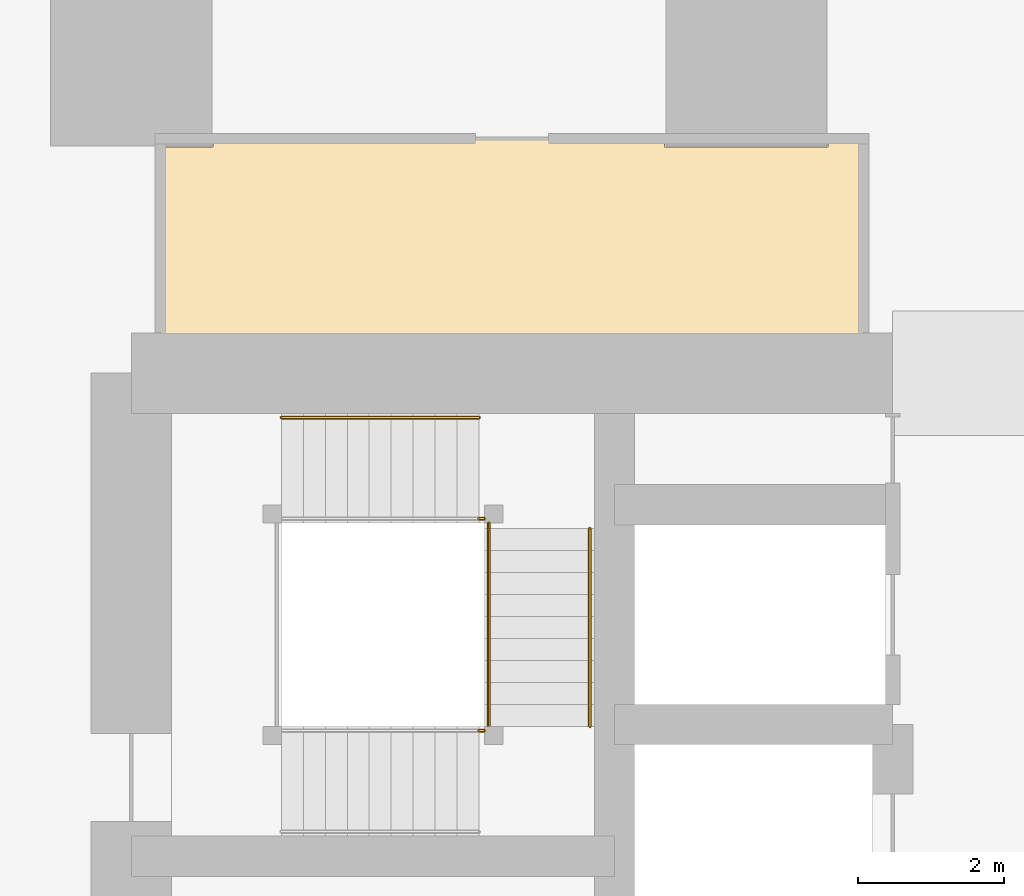
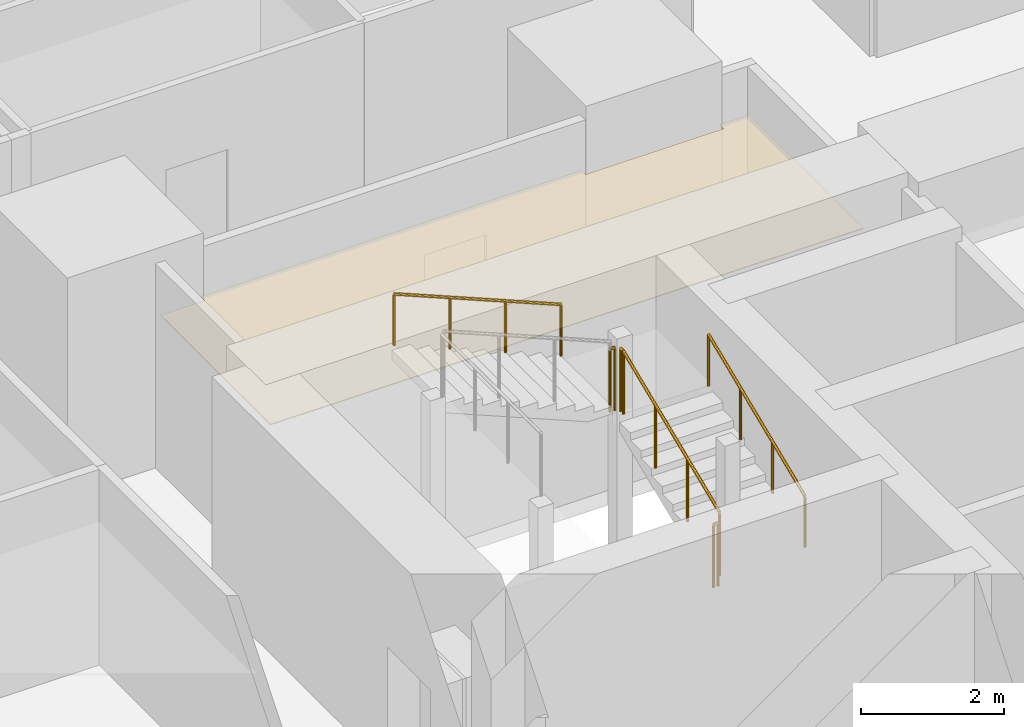
# One storey, part 42 of 45: 6 railings, 1 covering.
"""IFC4 building model written with IfcOpenShell, lengths in metres."""

from ifc_helpers import new_model, si_unit, direction, frame, origin, origin_2d, place, context, subcontext, project, spatial, polyline, circle, outline, extrude, material, layer, layer_set, type_object, element, save


model = new_model("IFC4")

# Units and contexts
model_context = context("Model", 3, precision=1e-05, world=origin(), true_north=direction((0.0, 1.0)))
body_context = subcontext(model_context, "Body", "Model", "MODEL_VIEW")
ifc_project = project(units=[si_unit("LENGTHUNIT", "METRE"), si_unit("AREAUNIT", "SQUARE_METRE"), si_unit("VOLUMEUNIT", "CUBIC_METRE"), si_unit("PLANEANGLEUNIT", "RADIAN"), si_unit("MASSUNIT", "GRAM", prefix="KILO")], contexts=[model_context])

# Site, building, storey
site_placement = place(None, origin())
site = spatial("IfcSite", under=ifc_project, at=site_placement, CompositionType="ELEMENT")
building_placement = place(site_placement, origin())
building = spatial("IfcBuilding", under=site, at=building_placement, Name="Rekha Terrace Tower", CompositionType="ELEMENT")
storey_placement = place(building_placement, frame((0.0, 0.0, 36.64990234375)))
storey = spatial("IfcBuildingStorey", under=building, at=storey_placement, Name="L08", CompositionType="ELEMENT", Elevation=36.64990234375)

# Covering
ifc_material_1 = material(Name="Fibre cement board", Category="finish")
ifc_layer = layer(ifc_material_1, 0.014892578125)
ifc_layer_set = layer_set([ifc_layer], Name="Fibre cement board")
covering_type = type_object("IfcCoveringType", Name="CL2 moisture-resistant board ceiling", PredefinedType="CEILING", material=ifc_layer_set)
covering_placement = place(storey_placement, frame((0.0, 0.0, 2.585205078125)))
element("IfcCovering", 1, at=covering_placement, inside=storey, type_object=covering_type, Name="Ceiling L08-WCF2", PredefinedType="CEILING", context=body_context, shape_type="SweptSolid", body=[
    extrude(outline(polyline([(26.31494140625, 49.284912109375), (25.60009765625, 49.284912109375), (25.60009765625, 46.199951171875), (35.199951171875, 46.199951171875), (35.199951171875, 49.39990234375), (34.715087890625, 49.39990234375), (34.715087890625, 49.284912109375), (32.485107421875, 49.284912109375), (32.485107421875, 49.39990234375), (26.31494140625, 49.39990234375), (26.31494140625, 49.284912109375)])), origin(), (0.0, 0.0, 1.0), 0.014892578125),
])

# Railings
ifc_material_2 = material(Name="Stainless steel balustrade", Category="steel")
railing_type_1 = type_object("IfcRailingType", Name="GR1 1100 stair guard", PredefinedType="GUARDRAIL", material=ifc_material_2)
railing_1_placement = place(storey_placement, frame((30.0849609375, 41.375, 1.375)))
element("IfcRailing", 2, at=railing_1_placement, inside=storey, type_object=railing_type_1, Name="Guard ST4 L08 flight 2", PredefinedType="GUARDRAIL", context=body_context, shape_type="SweptSolid", body=[
    extrude(circle(Radius=0.02392578125, at=origin_2d()), frame((0.0, 0.0, 1.076171875), z_axis=(0.0, 0.923074453586, 0.384621311341), x_axis=(-1.0, 0.0, 0.0)), (0.0, 0.0, 1.0), 2.925048828125),
    extrude(circle(Radius=0.02099609375, at=origin_2d()), origin(), (0.0, 0.0, 1.0), 1.052001953125),
    extrude(circle(Radius=0.02099609375, at=origin_2d()), frame((0.0, 0.89990234375, 0.375)), (0.0, 0.0, 1.0), 1.052001953125),
    extrude(circle(Radius=0.02099609375, at=origin_2d()), frame((0.0, 1.800048828125, 0.75)), (0.0, 0.0, 1.0), 1.052001953125),
    extrude(circle(Radius=0.02099609375, at=origin_2d()), frame((0.0, 2.699951171875, 1.125)), (0.0, 0.0, 1.0), 1.052001953125),
])
railing_2_placement = place(storey_placement, frame((29.949951171875, 41.31494140625, 1.25)))
element("IfcRailing", 3, at=railing_2_placement, inside=storey, type_object=railing_type_1, Name="Guard ST4 L08 landing 1", PredefinedType="GUARDRAIL", context=body_context, shape_type="SweptSolid", body=[
    extrude(circle(Radius=0.02392578125, at=origin_2d()), frame((0.0, 0.0, 1.076171875), z_axis=(1.0, 0.0, 0.0), x_axis=(0.0, 1.0, 0.0)), (0.0, 0.0, 1.0), 0.074951171875),
    extrude(circle(Radius=0.02099609375, at=origin_2d()), origin(), (0.0, 0.0, 1.0), 1.052001953125),
    extrude(circle(Radius=0.02099609375, at=origin_2d()), frame((0.074951171875, 0.0, 0.0)), (0.0, 0.0, 1.0), 1.052001953125),
])
railing_3_placement = place(storey_placement, frame((30.0849609375, 44.074951171875, 2.5)))
element("IfcRailing", 4, at=railing_3_placement, inside=storey, type_object=railing_type_1, Name="Guard ST4 L08 landing 2", PredefinedType="GUARDRAIL", context=body_context, shape_type="SweptSolid", body=[
    extrude(circle(Radius=0.02392578125, at=origin_2d()), frame((0.0, 0.0, 1.076171875), z_axis=(0.0, 1.0, 0.0), x_axis=(-1.0, 0.0, 0.0)), (0.0, 0.0, 1.0), 0.074951171875),
    extrude(circle(Radius=0.02099609375, at=origin_2d()), origin(), (0.0, 0.0, 1.0), 1.052001953125),
    extrude(circle(Radius=0.02099609375, at=origin_2d()), frame((0.0, 0.074951171875, 0.0)), (0.0, 0.0, 1.0), 1.052001953125),
])
railing_4_placement = place(storey_placement, frame((29.949951171875, 44.2099609375, 2.5)))
element("IfcRailing", 5, at=railing_4_placement, inside=storey, type_object=railing_type_1, Name="Guard ST4 L08 landing 3", PredefinedType="GUARDRAIL", context=body_context, shape_type="SweptSolid", body=[
    extrude(circle(Radius=0.02392578125, at=origin_2d()), frame((0.0, 0.0, 1.076171875), z_axis=(1.0, 0.0, 0.0), x_axis=(0.0, 1.0, 0.0)), (0.0, 0.0, 1.0), 0.074951171875),
    extrude(circle(Radius=0.02099609375, at=origin_2d()), origin(), (0.0, 0.0, 1.0), 1.052001953125),
    extrude(circle(Radius=0.02099609375, at=origin_2d()), frame((0.074951171875, 0.0, 0.0)), (0.0, 0.0, 1.0), 1.052001953125),
])
ifc_material_3 = material(Name="Stainless steel tube", Category="steel")
railing_type_2 = type_object("IfcRailingType", Name="HR1 900 stair handrail", PredefinedType="HANDRAIL", material=ifc_material_3)
railing_5_placement = place(storey_placement, frame((31.465087890625, 41.375, 1.375)))
element("IfcRailing", 6, at=railing_5_placement, inside=storey, type_object=railing_type_2, Name="Handrail ST4 L08 flight 2", PredefinedType="HANDRAIL", context=body_context, shape_type="SweptSolid", body=[
    extrude(circle(Radius=0.02392578125, at=origin_2d()), frame((0.0, 0.0, 0.8759765625), z_axis=(0.0, 0.923074453586, 0.384621311341), x_axis=(-1.0, 0.0, 0.0)), (0.0, 0.0, 1.0), 2.925048828125),
    extrude(circle(Radius=0.02099609375, at=origin_2d()), origin(), (0.0, 0.0, 1.0), 0.851806640625),
    extrude(circle(Radius=0.02099609375, at=origin_2d()), frame((0.0, 0.89990234375, 0.375)), (0.0, 0.0, 1.0), 0.851806640625),
    extrude(circle(Radius=0.02099609375, at=origin_2d()), frame((0.0, 1.800048828125, 0.75)), (0.0, 0.0, 1.0), 0.851806640625),
    extrude(circle(Radius=0.02099609375, at=origin_2d()), frame((0.0, 2.699951171875, 1.125)), (0.0, 0.0, 1.0), 0.851806640625),
])
railing_6_placement = place(storey_placement, frame((29.949951171875, 45.590087890625, 2.625)))
element("IfcRailing", 7, at=railing_6_placement, inside=storey, type_object=railing_type_2, Name="Handrail ST4 L08 flight 3", PredefinedType="HANDRAIL", context=body_context, shape_type="SweptSolid", body=[
    extrude(circle(Radius=0.02392578125, at=origin_2d()), frame((0.0, 0.0, 0.8759765625), z_axis=(-0.923074453586, 0.0, 0.384621311341), x_axis=(0.0, -1.0, 0.0)), (0.0, 0.0, 1.0), 2.925048828125),
    extrude(circle(Radius=0.02099609375, at=origin_2d()), origin(), (0.0, 0.0, 1.0), 0.851806640625),
    extrude(circle(Radius=0.02099609375, at=origin_2d()), frame((-0.89990234375, 0.0, 0.375)), (0.0, 0.0, 1.0), 0.851806640625),
    extrude(circle(Radius=0.02099609375, at=origin_2d()), frame((-1.800048828125, 0.0, 0.75)), (0.0, 0.0, 1.0), 0.851806640625),
    extrude(circle(Radius=0.02099609375, at=origin_2d()), frame((-2.699951171875, 0.0, 1.125)), (0.0, 0.0, 1.0), 0.851806640625),
])

save(model, "model.ifc")
